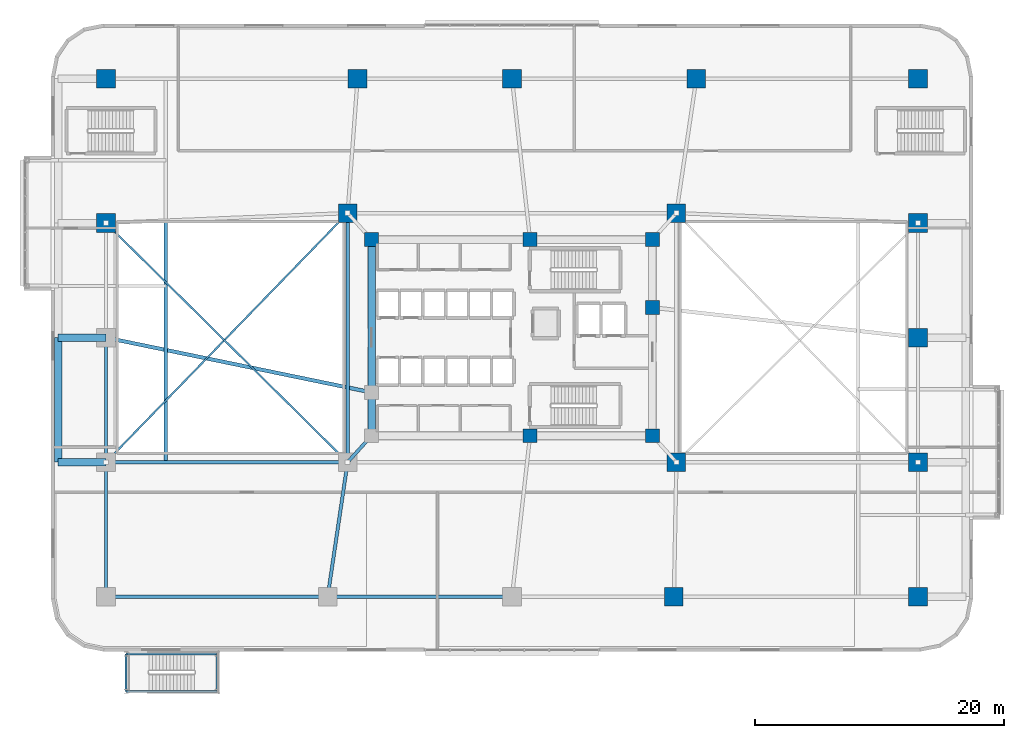
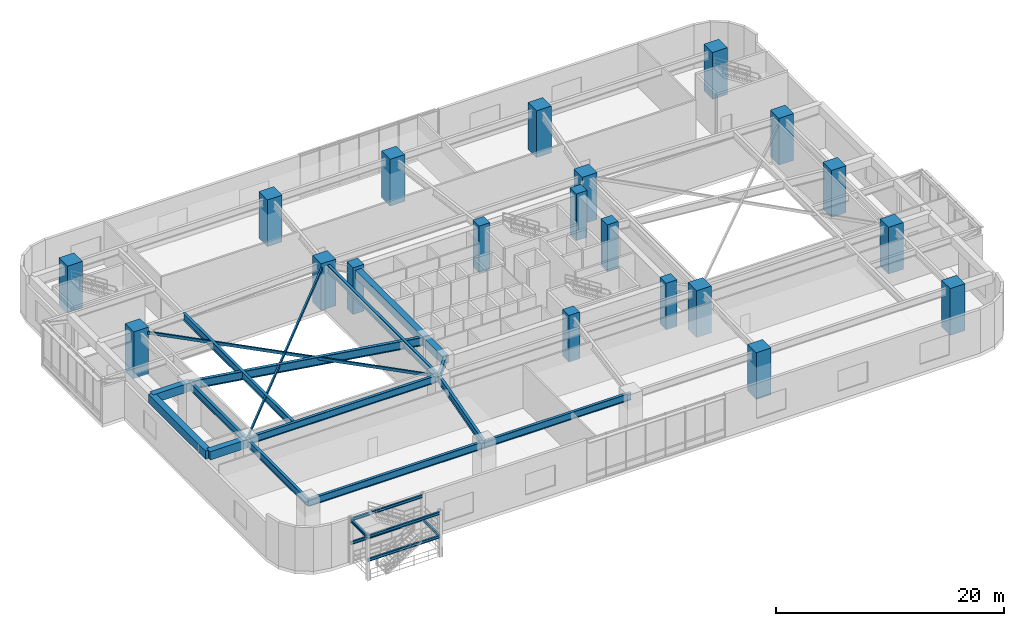
# One storey, part 2 of 24: 21 beams, 20 columns, 2 members.
"""IFC4 building model written with IfcOpenShell, lengths in metres."""

import ifcopenshell
import ifcopenshell.guid

model = None  # the IFC model being written
_history = None  # IfcOwnerHistory: only IFC2X3 demands one
_inside = {}  # id of a spatial element -> (the spatial element, [elements in it])
_under = {}  # id of a project, library or spatial element -> (it, [spatial elements below it])
_declared = {}  # id of a project -> (the project, [libraries it declares])
_typed = {}  # id of a type object -> (the type object, [elements of that type])
_made_of = {}  # id of a material, layer set ... -> (it, [elements and type objects made of it])


def new_model(schema):
    """Start an empty IFC model of exactly this schema.

    Asked for "IFC4X3", IfcOpenShell would pick the latest addendum, in which some entities
    have other attributes; the version numbers below select the first issue.
    IFC2X3 requires an IfcOwnerHistory on every rooted entity: one is made here for all.
    """
    global model, _history
    if schema == "IFC4X3":
        model = ifcopenshell.file(schema_version=(4, 3, 0, 0))
    else:
        model = ifcopenshell.file(schema=schema)
    _inside.clear()
    _under.clear()
    _declared.clear()
    _typed.clear()
    _made_of.clear()
    _history = None
    if model.schema == "IFC2X3":
        org = make("IfcOrganization", Name="unknown")
        user = make(
            "IfcPersonAndOrganization",
            ThePerson=make("IfcPerson", FamilyName="unknown"),
            TheOrganization=org,
        )
        app = make(
            "IfcApplication",
            ApplicationDeveloper=org,
            Version="unknown",
            ApplicationFullName="unknown",
            ApplicationIdentifier="unknown",
        )
        _history = make(
            "IfcOwnerHistory",
            OwningUser=user,
            OwningApplication=app,
            ChangeAction="ADDED",
            CreationDate=0,
        )
    return model


def make(cls, **values):
    """One entity of the class cls with the attributes given. An attribute that is None is left unset."""
    return model.create_entity(
        cls, **{name: value for name, value in values.items() if value is not None}
    )


def rooted(cls, **values):
    """An entity with a GlobalId (a new one), such as an element, a storey or a relation."""
    return make(cls, GlobalId=ifcopenshell.guid.new(), OwnerHistory=_history, **values)


def si_unit(unit_type, name, prefix=None):
    """IfcSIUnit, for example si_unit("LENGTHUNIT", "METRE", prefix="MILLI")."""
    return make("IfcSIUnit", UnitType=unit_type, Prefix=prefix, Name=name)


def assignment(units):
    """IfcUnitAssignment: the units of a project."""
    return None if units is None else make("IfcUnitAssignment", Units=units)


def point(xyz):
    """IfcCartesianPoint."""
    return None if xyz is None else make("IfcCartesianPoint", Coordinates=xyz)


def direction(xyz):
    """IfcDirection."""
    return None if xyz is None else make("IfcDirection", DirectionRatios=xyz)


def frame(location, z_axis=None, x_axis=None):
    """IfcAxis2Placement3D, a coordinate frame: its origin and axes. An axis left out is left unset."""
    return make(
        "IfcAxis2Placement3D",
        Location=point(location),
        Axis=direction(z_axis),
        RefDirection=direction(x_axis),
    )


def frame_2d(location, x_axis=None):
    """IfcAxis2Placement2D, a coordinate frame in the plane: its origin and x axis."""
    return make(
        "IfcAxis2Placement2D", Location=point(location), RefDirection=direction(x_axis)
    )


def origin():
    """The frame at (0, 0, 0) with its axes left unset."""
    return frame((0.0, 0.0, 0.0))


def origin_2d():
    """The frame at (0, 0) in the plane with its x axis left unset."""
    return frame_2d((0.0, 0.0))


def place(relative_to, where):
    """IfcLocalPlacement: puts the frame where relative to a parent placement (None: the world)."""
    return make(
        "IfcLocalPlacement", PlacementRelTo=relative_to, RelativePlacement=where
    )


def context(
    kind, dimensions, precision=None, world=None, true_north=None, identifier=None
):
    """IfcGeometricRepresentationContext, for example the 3D "Model" context."""
    return make(
        "IfcGeometricRepresentationContext",
        ContextIdentifier=identifier,
        ContextType=kind,
        CoordinateSpaceDimension=dimensions,
        Precision=precision,
        WorldCoordinateSystem=world,
        TrueNorth=true_north,
    )


def subcontext(parent, identifier, kind, view, scale=None):
    """IfcGeometricRepresentationSubContext, for example "Body" below "Model"."""
    return make(
        "IfcGeometricRepresentationSubContext",
        ContextIdentifier=identifier,
        ContextType=kind,
        ParentContext=parent,
        TargetScale=scale,
        TargetView=view,
    )


def project(units=None, contexts=None):
    """IfcProject with its units and contexts."""
    return rooted(
        "IfcProject",
        Name="project",
        RepresentationContexts=contexts,
        UnitsInContext=assignment(units),
    )


def spatial(cls, under=None, at=None, **own):
    """A site, building, storey or space (cls), placed at a placement, below another one or the project."""
    s = rooted(cls, ObjectPlacement=at, **own)
    if under is not None:
        _under.setdefault(under.id(), (under, []))[1].append(s)
    return s


def profile(cls, at=None, kind="AREA", **sizes):
    """A parametric profile (cls). Its sizes go by their IFC names, for example OverallWidth=200.0."""
    return make(cls, ProfileType=kind, Position=at, **sizes)


def rectangle(**sizes):
    """IfcRectangleProfileDef."""
    return profile("IfcRectangleProfileDef", **sizes)


def hollow_rectangle(**sizes):
    """IfcRectangleHollowProfileDef."""
    return profile("IfcRectangleHollowProfileDef", **sizes)


def i_section(**sizes):
    """IfcIShapeProfileDef."""
    return profile("IfcIShapeProfileDef", **sizes)


def extrude(swept, where, along, depth):
    """IfcExtrudedAreaSolid: the profile swept, set in the frame where, extruded along a direction by depth."""
    return make(
        "IfcExtrudedAreaSolid",
        SweptArea=swept,
        Position=where,
        ExtrudedDirection=direction(along),
        Depth=depth,
    )


def shape(context_of_items, identifier, shape_type, items):
    """IfcShapeRepresentation: the items that make up one representation, for example the "Body"."""
    return make(
        "IfcShapeRepresentation",
        ContextOfItems=context_of_items,
        RepresentationIdentifier=identifier,
        RepresentationType=shape_type,
        Items=items,
    )


def material(Name=None, Category=None):
    """IfcMaterial."""
    return make("IfcMaterial", Name=Name, Category=Category)


def material_profile(
    of_material, cross_section, Name=None, Category=None, Priority=None
):
    """IfcMaterialProfile: a cross section and its material."""
    return make(
        "IfcMaterialProfile",
        Name=Name,
        Material=of_material,
        Profile=cross_section,
        Priority=Priority,
        Category=Category,
    )


def profile_set(profiles, Name=None, composite=None):
    """IfcMaterialProfileSet."""
    return make(
        "IfcMaterialProfileSet",
        Name=Name,
        MaterialProfiles=profiles,
        CompositeProfile=composite,
    )


def made_of(thing, what):
    """Note that an element or type object is made of a material, layer set ...; save() writes the relation."""
    if what is not None:
        _made_of.setdefault(what.id(), (what, []))[1].append(thing)
    return thing


def type_object(cls, material=None, **own):
    """A type object (cls), such as IfcWallType, which elements share."""
    return made_of(rooted(cls, **own), material)


def element(
    cls,
    number,
    at=None,
    inside=None,
    cuts=None,
    type_object=None,
    material=None,
    context=None,
    identifier="Body",
    shape_type=None,
    held_by="IfcProductDefinitionShape",
    body=None,
    shapes=None,
    **own,
):
    """One element of the class cls, such as IfcWall. Its Tag is "e" and its number.

    at: its placement. inside: the storey or other place that contains it. cuts: it is an
    opening in that element (IfcRelVoidsElement). A single representation is given by context,
    identifier, shape_type and body (its items); several are given by shapes. held_by: the class
    of the entity that holds the representations. save() writes the other relations.
    """
    e = rooted(cls, Tag="e%d" % number, ObjectPlacement=at, **own)
    if body is not None:
        shapes = [shape(context, identifier, shape_type, body)]
    if shapes is not None:
        e.Representation = make(held_by, Representations=shapes)
    if inside is not None:
        _inside.setdefault(inside.id(), (inside, []))[1].append(e)
    if cuts is not None:
        rooted(
            "IfcRelVoidsElement", RelatingBuildingElement=cuts, RelatedOpeningElement=e
        )
    if type_object is not None:
        _typed.setdefault(type_object.id(), (type_object, []))[1].append(e)
    return made_of(e, material)


def aggregate(whole, parts):
    """IfcRelAggregates: a whole, such as a stair, and the parts it consists of."""
    return rooted("IfcRelAggregates", RelatingObject=whole, RelatedObjects=parts)


def save(model, path):
    """Write the relations noted so far, then the file.

    IfcRelAggregates (storeys below a building ...), IfcRelContainedInSpatialStructure (elements
    in a storey), IfcRelDefinesByType, IfcRelAssociatesMaterial and IfcRelDeclares: one each for
    every whole, place, type object, material and project.
    """
    for whole, parts in _under.values():
        aggregate(whole, parts)
    for where, things in _inside.values():
        rooted(
            "IfcRelContainedInSpatialStructure",
            RelatedElements=things,
            RelatingStructure=where,
        )
    for kind, things in _typed.values():
        rooted("IfcRelDefinesByType", RelatedObjects=things, RelatingType=kind)
    for what, things in _made_of.values():
        rooted("IfcRelAssociatesMaterial", RelatedObjects=things, RelatingMaterial=what)
    for by, libraries in _declared.values():
        rooted("IfcRelDeclares", RelatingContext=by, RelatedDefinitions=libraries)
    model.write(path)


model = new_model("IFC4")

# Units and contexts
model_context = context("Model", 3, precision=1e-05, world=origin(), true_north=direction((0.0, 1.0)))
body_context = subcontext(model_context, "Body", "Model", "MODEL_VIEW")
ifc_project = project(units=[si_unit("LENGTHUNIT", "METRE"), si_unit("AREAUNIT", "SQUARE_METRE"), si_unit("VOLUMEUNIT", "CUBIC_METRE"), si_unit("PLANEANGLEUNIT", "RADIAN"), si_unit("MASSUNIT", "GRAM", prefix="KILO")], contexts=[model_context])

# Site, building, storey
site_placement = place(None, origin())
site = spatial("IfcSite", under=ifc_project, at=site_placement, CompositionType="ELEMENT")
building_placement = place(site_placement, origin())
building = spatial("IfcBuilding", under=site, at=building_placement, Name="Zulverin Broadcast Headquarters", CompositionType="ELEMENT")
storey_placement = place(building_placement, frame((0.0, 0.0, 5.0)))
storey = spatial("IfcBuildingStorey", under=building, at=storey_placement, Name="L01", CompositionType="ELEMENT", Elevation=5.0)

# Columns
ifc_material_1 = material(Name="Concrete C60/75", Category="concrete")
ifc_material_profile_1 = material_profile(ifc_material_1, rectangle(XDim=1.5, YDim=1.5, at=origin_2d()), Name="Concrete C60/75", Category="concrete")
ifc_profile_set_1 = profile_set([ifc_material_profile_1], Name="Concrete C60/75")
column_type_1 = type_object("IfcColumnType", Name="COL-RC-1500", PredefinedType="COLUMN", material=ifc_profile_set_1)
for number, where, z_axis, x_axis, name in (
    (1, (50.0, 4.39990234375, 0.0), (0.0, 0.0, 1.0), (1.0, 0.0, 0.0), "L01 Podium Mega Column P04"),
    (2, (69.60009765625, 4.39990234375, 0.0), (0.0, 0.0, 1.0), (1.0, 0.0, 0.0), "L01 Podium Mega Column P05"),
    (3, (4.39990234375, 46.0, 0.0), (0.0, 0.0, 1.0), (1.0, 0.0, 0.0), "L01 Podium Mega Column P06"),
    (4, (24.60009765625, 46.0, 0.0), (0.0, 0.0, 1.0), (1.0, 0.0, 0.0), "L01 Podium Mega Column P07"),
    (5, (37.0, 46.0, 0.0), (0.0, 0.0, 1.0), (1.0, 0.0, 0.0), "L01 Podium Mega Column P08"),
    (6, (51.800048828125, 46.0, 0.0), (0.0, 0.0, 1.0), (1.0, 0.0, 0.0), "L01 Podium Mega Column P09"),
    (7, (69.60009765625, 46.0, 0.0), (0.0, 0.0, 1.0), (1.0, 0.0, 0.0), "L01 Podium Mega Column P10"),
    (8, (4.39990234375, 34.39990234375, 0.0), (0.0, 0.0, 1.0), (1.0, 0.0, 0.0), "L01 Podium Mega Column P13"),
    (9, (69.60009765625, 15.199951171875, 0.0), (0.0, 0.0, 1.0), (1.0, 0.0, 0.0), "L01 Podium Mega Column P14"),
    (10, (69.60009765625, 25.199951171875, 0.0), (0.0, 0.0, 1.0), (1.0, 0.0, 0.0), "L01 Podium Mega Column P15"),
    (11, (69.60009765625, 34.39990234375, 0.0), (0.0, 0.0, 1.0), (1.0, 0.0, 0.0), "L01 Podium Mega Column P16"),
    (12, (50.199951171875, 15.199951171875, 0.0), (0.0, 0.0, 1.0), (1.0, 0.0, 0.0), "L01 Podium Mega Column M02"),
    (13, (50.199951171875, 35.199951171875, 0.0), (0.0, 0.0, 1.0), (1.0, 0.0, 0.0), "L01 Podium Mega Column M03"),
    (14, (23.800048828125, 35.199951171875, 0.0), (0.0, 0.0, 1.0), (1.0, 0.0, 0.0), "L01 Podium Mega Column M04"),
):
    element("IfcColumn", number, at=place(storey_placement, frame(where, z_axis=z_axis, x_axis=x_axis)), inside=storey, type_object=column_type_1, Name=name, PredefinedType="COLUMN", context=body_context, shape_type="SweptSolid", body=[
        extrude(rectangle(XDim=1.5, YDim=1.5, at=origin_2d()), origin(), (0.0, 0.0, 1.0), 5.0),
    ])
ifc_material_profile_2 = material_profile(ifc_material_1, rectangle(XDim=1.10009765625, YDim=1.10009765625, at=origin_2d()), Name="Concrete C60/75", Category="concrete")
ifc_profile_set_2 = profile_set([ifc_material_profile_2], Name="Concrete C60/75")
column_type_2 = type_object("IfcColumnType", Name="PIL-RC-1100", PredefinedType="PILASTER", material=ifc_profile_set_2)
for number, where, z_axis, x_axis, name in (
    (15, (38.449951171875, 17.324951171875, 0.0), (0.0, 0.0, 1.0), (1.0, 0.0, 0.0), "L01 Core Pilaster K02"),
    (16, (48.27490234375, 17.324951171875, 0.0), (0.0, 0.0, 1.0), (1.0, 0.0, 0.0), "L01 Core Pilaster K03"),
    (17, (48.27490234375, 27.6201171875, 0.0), (0.0, 0.0, 1.0), (1.0, 0.0, 0.0), "L01 Core Pilaster K04"),
    (18, (48.27490234375, 33.074951171875, 0.0), (0.0, 0.0, 1.0), (1.0, 0.0, 0.0), "L01 Core Pilaster K05"),
    (19, (38.449951171875, 33.074951171875, 0.0), (0.0, 0.0, 1.0), (1.0, 0.0, 0.0), "L01 Core Pilaster K06"),
    (20, (25.72509765625, 33.074951171875, 0.0), (0.0, 0.0, 1.0), (1.0, 0.0, 0.0), "L01 Core Pilaster K07"),
):
    element("IfcColumn", number, at=place(storey_placement, frame(where, z_axis=z_axis, x_axis=x_axis)), inside=storey, type_object=column_type_2, Name=name, PredefinedType="PILASTER", context=body_context, shape_type="SweptSolid", body=[
        extrude(rectangle(XDim=1.10009765625, YDim=1.10009765625, at=origin_2d()), origin(), (0.0, 0.0, 1.0), 5.0),
    ])

# Beams
ifc_material_profile_3 = material_profile(ifc_material_1, rectangle(XDim=0.60009765625, YDim=0.89990234375, at=origin_2d()), Name="Concrete C60/75", Category="concrete")
ifc_profile_set_3 = profile_set([ifc_material_profile_3], Name="Concrete C60/75")
beam_type_1 = type_object("IfcBeamType", Name="BM-CB-600x900", PredefinedType="LINTEL", material=ifc_profile_set_3)
beam_1_placement = place(storey_placement, frame((25.72509765625, 33.074951171875, 4.2099609375), z_axis=(0.0, -1.0, 0.0), x_axis=(1.0, 0.0, 0.0)))
element("IfcBeam", 21, at=beam_1_placement, inside=storey, type_object=beam_type_1, Name="L01 Core Coupling Girder K07-K08", PredefinedType="LINTEL", context=body_context, shape_type="SweptSolid", body=[
    extrude(rectangle(XDim=0.60009765625, YDim=0.89990234375, at=origin_2d()), origin(), (0.0, 0.0, 1.0), 12.27490234375),
])
beam_2_placement = place(storey_placement, frame((25.72509765625, 20.800048828125, 4.2099609375), z_axis=(0.0, -1.0, 0.0), x_axis=(1.0, 0.0, 0.0)))
element("IfcBeam", 22, at=beam_2_placement, inside=storey, type_object=beam_type_1, Name="L01 Core Coupling Girder K08-K01", PredefinedType="LINTEL", context=body_context, shape_type="SweptSolid", body=[
    extrude(rectangle(XDim=0.60009765625, YDim=0.89990234375, at=origin_2d()), origin(), (0.0, 0.0, 1.0), 3.47509765625),
])
ifc_material_2 = material(Name="Structural steel S460M", Category="steel")
ifc_material_profile_4 = material_profile(ifc_material_2, i_section(OverallWidth=0.300048828125, OverallDepth=0.89990234375, WebThickness=0.0185546875, FlangeThickness=0.034912109375, at=origin_2d()), Name="Structural steel S460M", Category="steel")
ifc_profile_set_4 = profile_set([ifc_material_profile_4], Name="Structural steel S460M")
beam_type_2 = type_object("IfcBeamType", Name="BM-HEB-900", PredefinedType="BEAM", material=ifc_profile_set_4)
beam_3_placement = place(storey_placement, frame((4.39990234375, 25.199951171875, 4.2099609375), z_axis=(0.979371499946, -0.202067971471, 0.0), x_axis=(0.202067971471, 0.979371499946, 0.0)))
element("IfcBeam", 23, at=beam_3_placement, inside=storey, type_object=beam_type_2, Name="L01 Long-Span Studio Girder P12-K08", PredefinedType="BEAM", context=body_context, shape_type="SweptSolid", body=[
    extrude(i_section(OverallWidth=0.300048828125, OverallDepth=0.89990234375, WebThickness=0.0185546875, FlangeThickness=0.034912109375, at=origin_2d()), origin(), (0.0, 0.0, 1.0), 21.7744140625),
])
ifc_material_3 = material(Name="Concrete C40/50", Category="concrete")
ifc_material_profile_5 = material_profile(ifc_material_3, rectangle(XDim=0.60009765625, YDim=0.89990234375, at=origin_2d()), Name="Concrete C40/50", Category="concrete")
ifc_profile_set_5 = profile_set([ifc_material_profile_5], Name="Concrete C40/50")
beam_type_3 = type_object("IfcBeamType", Name="BM-RC-600x900", PredefinedType="BEAM", material=ifc_profile_set_5)
for number, where, z_axis, x_axis, name in (
    (24, (4.39990234375, 15.199951171875, 4.2099609375), (-1.0, 0.0, 0.0), (0.0, -1.0, 0.0), "L01 West Perimeter Bracket Girder WBR-1"),
    (25, (4.39990234375, 25.199951171875, 4.2099609375), (-1.0, 0.0, 0.0), (0.0, -1.0, 0.0), "L01 West Perimeter Bracket Girder WBR-2"),
):
    element("IfcBeam", number, at=place(storey_placement, frame(where, z_axis=z_axis, x_axis=x_axis)), inside=storey, type_object=beam_type_3, Name=name, PredefinedType="BEAM", context=body_context, shape_type="SweptSolid", body=[
        extrude(rectangle(XDim=0.60009765625, YDim=0.89990234375, at=origin_2d()), origin(), (0.0, 0.0, 1.0), 3.849853515625),
    ])
beam_4_placement = place(storey_placement, frame((0.550048828125, 15.199951171875, 4.2099609375), z_axis=(0.0, 1.0, 0.0), x_axis=(-1.0, 0.0, 0.0)))
element("IfcBeam", 26, at=beam_4_placement, inside=storey, type_object=beam_type_3, Name="L01 West Edge Spandrel Girder WEG-1", PredefinedType="BEAM", context=body_context, shape_type="SweptSolid", body=[
    extrude(rectangle(XDim=0.60009765625, YDim=0.89990234375, at=origin_2d()), origin(), (0.0, 0.0, 1.0), 10.0),
])
ifc_material_4 = material(Name="Structural steel S355JR", Category="steel")
ifc_material_profile_6 = material_profile(ifc_material_4, i_section(OverallWidth=0.1669921875, OverallDepth=0.310302734375, WebThickness=0.0078125, FlangeThickness=0.013671875, at=origin_2d()), Name="Structural steel S355JR", Category="steel")
ifc_profile_set_6 = profile_set([ifc_material_profile_6], Name="Structural steel S355JR")
beam_type_4 = type_object("IfcBeamType", Name="BM-UB-305", PredefinedType="SPANDREL", material=ifc_profile_set_6)
beam_5_placement = place(storey_placement, frame((13.320068359375, -3.199951171875, 2.144775390625), z_axis=(0.0, 1.0, 0.0), x_axis=(-1.0, 0.0, 0.0)))
element("IfcBeam", 27, at=beam_5_placement, inside=storey, type_object=beam_type_4, Name="L01 Garden Stair Half-Landing Beam E", PredefinedType="SPANDREL", context=body_context, shape_type="SweptSolid", body=[
    extrude(i_section(OverallWidth=0.1669921875, OverallDepth=0.310302734375, WebThickness=0.0078125, FlangeThickness=0.013671875, at=origin_2d()), origin(), (0.0, 0.0, 1.0), 3.0),
])
for number, where, z_axis, x_axis, name in (
    (28, (6.02001953125, -3.199951171875, 2.144775390625), (1.0, 0.0, 0.0), (0.0, 1.0, 0.0), "L01 Garden Stair Half-Landing Stringer S"),
    (29, (6.02001953125, -0.199951171875, 2.144775390625), (1.0, 0.0, 0.0), (0.0, 1.0, 0.0), "L01 Garden Stair Half-Landing Stringer N"),
):
    element("IfcBeam", number, at=place(storey_placement, frame(where, z_axis=z_axis, x_axis=x_axis)), inside=storey, type_object=beam_type_4, Name=name, PredefinedType="SPANDREL", context=body_context, shape_type="SweptSolid", body=[
        extrude(i_section(OverallWidth=0.1669921875, OverallDepth=0.310302734375, WebThickness=0.0078125, FlangeThickness=0.013671875, at=origin_2d()), origin(), (0.0, 0.0, 1.0), 7.300048828125),
    ])
beam_6_placement = place(storey_placement, frame((6.02001953125, -3.199951171875, 4.644775390625), z_axis=(0.0, 1.0, 0.0), x_axis=(-1.0, 0.0, 0.0)))
element("IfcBeam", 30, at=beam_6_placement, inside=storey, type_object=beam_type_4, Name="L01 Garden Stair Floor-Landing Beam W", PredefinedType="SPANDREL", context=body_context, shape_type="SweptSolid", body=[
    extrude(i_section(OverallWidth=0.1669921875, OverallDepth=0.310302734375, WebThickness=0.0078125, FlangeThickness=0.013671875, at=origin_2d()), origin(), (0.0, 0.0, 1.0), 3.0),
])
for number, where, z_axis, x_axis, name in (
    (31, (6.02001953125, -3.199951171875, 4.644775390625), (1.0, 0.0, 0.0), (0.0, 1.0, 0.0), "L01 Garden Stair Upper Stringer S"),
    (32, (6.02001953125, -0.199951171875, 4.644775390625), (1.0, 0.0, 0.0), (0.0, 1.0, 0.0), "L01 Garden Stair Upper Stringer N"),
):
    element("IfcBeam", number, at=place(storey_placement, frame(where, z_axis=z_axis, x_axis=x_axis)), inside=storey, type_object=beam_type_4, Name=name, PredefinedType="SPANDREL", context=body_context, shape_type="SweptSolid", body=[
        extrude(i_section(OverallWidth=0.1669921875, OverallDepth=0.310302734375, WebThickness=0.0078125, FlangeThickness=0.013671875, at=origin_2d()), origin(), (0.0, 0.0, 1.0), 7.300048828125),
    ])
ifc_material_profile_7 = material_profile(ifc_material_4, i_section(OverallWidth=0.26806640625, OverallDepth=0.769775390625, WebThickness=0.015625, FlangeThickness=0.025390625, at=origin_2d()), Name="Structural steel S355JR", Category="steel")
ifc_profile_set_7 = profile_set([ifc_material_profile_7], Name="Structural steel S355JR")
beam_type_5 = type_object("IfcBeamType", Name="BM-UB-762", PredefinedType="BEAM", material=ifc_profile_set_7)
beam_7_placement = place(storey_placement, frame((4.39990234375, 4.39990234375, 4.275146484375), z_axis=(1.0, 0.0, 0.0), x_axis=(0.0, 1.0, 0.0)))
element("IfcBeam", 33, at=beam_7_placement, inside=storey, type_object=beam_type_5, Name="L01 Podium Primary Girder P01-P02", PredefinedType="BEAM", context=body_context, shape_type="SweptSolid", body=[
    extrude(i_section(OverallWidth=0.26806640625, OverallDepth=0.769775390625, WebThickness=0.015625, FlangeThickness=0.025390625, at=origin_2d()), origin(), (0.0, 0.0, 1.0), 17.800048828125),
])
beam_8_placement = place(storey_placement, frame((22.199951171875, 4.39990234375, 4.275146484375), z_axis=(1.0, 0.0, 0.0), x_axis=(0.0, 1.0, 0.0)))
element("IfcBeam", 34, at=beam_8_placement, inside=storey, type_object=beam_type_5, Name="L01 Podium Primary Girder P02-P03", PredefinedType="BEAM", context=body_context, shape_type="SweptSolid", body=[
    extrude(i_section(OverallWidth=0.26806640625, OverallDepth=0.769775390625, WebThickness=0.015625, FlangeThickness=0.025390625, at=origin_2d()), origin(), (0.0, 0.0, 1.0), 14.800048828125),
])
beam_9_placement = place(storey_placement, frame((4.39990234375, 25.199951171875, 4.275146484375), z_axis=(0.0, -1.0, 0.0), x_axis=(1.0, 0.0, 0.0)))
element("IfcBeam", 35, at=beam_9_placement, inside=storey, type_object=beam_type_5, Name="L01 Podium Primary Girder P12-P11", PredefinedType="BEAM", context=body_context, shape_type="SweptSolid", body=[
    extrude(i_section(OverallWidth=0.26806640625, OverallDepth=0.769775390625, WebThickness=0.015625, FlangeThickness=0.025390625, at=origin_2d()), origin(), (0.0, 0.0, 1.0), 10.0),
])
beam_10_placement = place(storey_placement, frame((4.39990234375, 15.199951171875, 4.275146484375), z_axis=(0.0, -1.0, 0.0), x_axis=(1.0, 0.0, 0.0)))
element("IfcBeam", 36, at=beam_10_placement, inside=storey, type_object=beam_type_5, Name="L01 Podium Primary Girder P11-P01", PredefinedType="BEAM", context=body_context, shape_type="SweptSolid", body=[
    extrude(i_section(OverallWidth=0.26806640625, OverallDepth=0.769775390625, WebThickness=0.015625, FlangeThickness=0.025390625, at=origin_2d()), origin(), (0.0, 0.0, 1.0), 10.800048828125),
])
beam_11_placement = place(storey_placement, frame((23.800048828125, 15.199951171875, 4.275146484375), z_axis=(0.671379160881, 0.741114041383, 0.0), x_axis=(-0.741114041383, 0.671379160881, 0.0)))
element("IfcBeam", 37, at=beam_11_placement, inside=storey, type_object=beam_type_5, Name="L01 Podium Primary Girder M01-K01", PredefinedType="BEAM", context=body_context, shape_type="SweptSolid", body=[
    extrude(i_section(OverallWidth=0.26806640625, OverallDepth=0.769775390625, WebThickness=0.015625, FlangeThickness=0.025390625, at=origin_2d()), origin(), (0.0, 0.0, 1.0), 2.8671875),
])
beam_12_placement = place(storey_placement, frame((23.800048828125, 35.199951171875, 4.275146484375), z_axis=(0.0, -1.0, 0.0), x_axis=(1.0, 0.0, 0.0)))
element("IfcBeam", 38, at=beam_12_placement, inside=storey, type_object=beam_type_5, Name="L01 Podium Primary Girder M04-M01", PredefinedType="BEAM", context=body_context, shape_type="SweptSolid", body=[
    extrude(i_section(OverallWidth=0.26806640625, OverallDepth=0.769775390625, WebThickness=0.015625, FlangeThickness=0.025390625, at=origin_2d()), origin(), (0.0, 0.0, 1.0), 20.0),
])
beam_13_placement = place(storey_placement, frame((22.199951171875, 4.39990234375, 4.275146484375), z_axis=(0.146556765224, 0.989202261707, 0.0), x_axis=(-0.989202261707, 0.146556765224, 0.0)))
element("IfcBeam", 39, at=beam_13_placement, inside=storey, type_object=beam_type_5, Name="L01 Podium Primary Girder P02-M01", PredefinedType="BEAM", context=body_context, shape_type="SweptSolid", body=[
    extrude(i_section(OverallWidth=0.26806640625, OverallDepth=0.769775390625, WebThickness=0.015625, FlangeThickness=0.025390625, at=origin_2d()), origin(), (0.0, 0.0, 1.0), 10.91796875),
])
beam_14_placement = place(storey_placement, frame((4.39990234375, 15.199951171875, 4.275146484375), z_axis=(1.0, 0.0, 0.0), x_axis=(0.0, 1.0, 0.0)))
element("IfcBeam", 40, at=beam_14_placement, inside=storey, type_object=beam_type_5, Name="L01 West Studio South Tie Girder", PredefinedType="BEAM", context=body_context, shape_type="SweptSolid", body=[
    extrude(i_section(OverallWidth=0.26806640625, OverallDepth=0.769775390625, WebThickness=0.015625, FlangeThickness=0.025390625, at=origin_2d()), origin(), (0.0, 0.0, 1.0), 19.400146484375),
])
beam_15_placement = place(storey_placement, frame((9.199951171875, 15.333984375, 4.275146484375), z_axis=(0.0, 1.0, 0.0), x_axis=(-1.0, 0.0, 0.0)))
element("IfcBeam", 41, at=beam_15_placement, inside=storey, type_object=beam_type_5, Name="L01 West Back-Span Anchor Beam WSBA-1", PredefinedType="BEAM", context=body_context, shape_type="SweptSolid", body=[
    extrude(i_section(OverallWidth=0.26806640625, OverallDepth=0.769775390625, WebThickness=0.015625, FlangeThickness=0.025390625, at=origin_2d()), origin(), (0.0, 0.0, 1.0), 19.1298828125),
])

# Members
ifc_material_profile_8 = material_profile(ifc_material_4, hollow_rectangle(XDim=0.14990234375, YDim=0.300048828125, WallThickness=0.012451171875, at=origin_2d()), Name="Structural steel S355JR", Category="steel")
ifc_profile_set_8 = profile_set([ifc_material_profile_8], Name="Structural steel S355JR")
member_type = type_object("IfcMemberType", Name="MBR-TMD-STRUT", PredefinedType="STRUT", material=ifc_profile_set_8)
member_1_placement = place(storey_placement, frame((4.39990234375, 15.199951171875, 4.409912109375), z_axis=(0.696260638116, 0.717789052445, 0.0), x_axis=(-0.717789052445, 0.696260638116, 0.0)))
element("IfcMember", 42, at=member_1_placement, inside=storey, type_object=member_type, Name="L01 Studio Roof Lateral Strut STR-1", PredefinedType="STRUT", context=body_context, shape_type="SweptSolid", body=[
    extrude(hollow_rectangle(XDim=0.14990234375, YDim=0.300048828125, WallThickness=0.012451171875, at=origin_2d()), origin(), (0.0, 0.0, 1.0), 27.86328125),
])
member_2_placement = place(storey_placement, frame((4.39990234375, 34.39990234375, 4.409912109375), z_axis=(0.71076455626, -0.703429986257, 0.0), x_axis=(0.703429986257, 0.71076455626, 0.0)))
element("IfcMember", 43, at=member_2_placement, inside=storey, type_object=member_type, Name="L01 Studio Roof Lateral Strut STR-2", PredefinedType="STRUT", context=body_context, shape_type="SweptSolid", body=[
    extrude(hollow_rectangle(XDim=0.14990234375, YDim=0.300048828125, WallThickness=0.012451171875, at=origin_2d()), origin(), (0.0, 0.0, 1.0), 27.294677734375),
])

save(model, "model.ifc")
